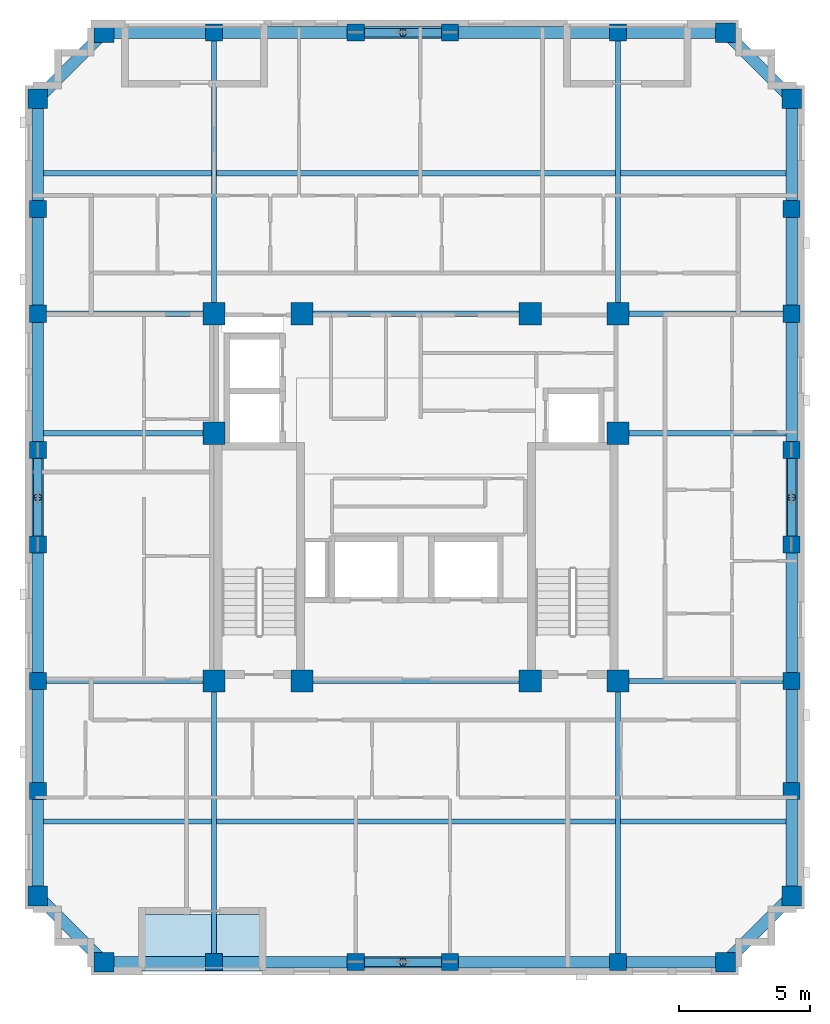
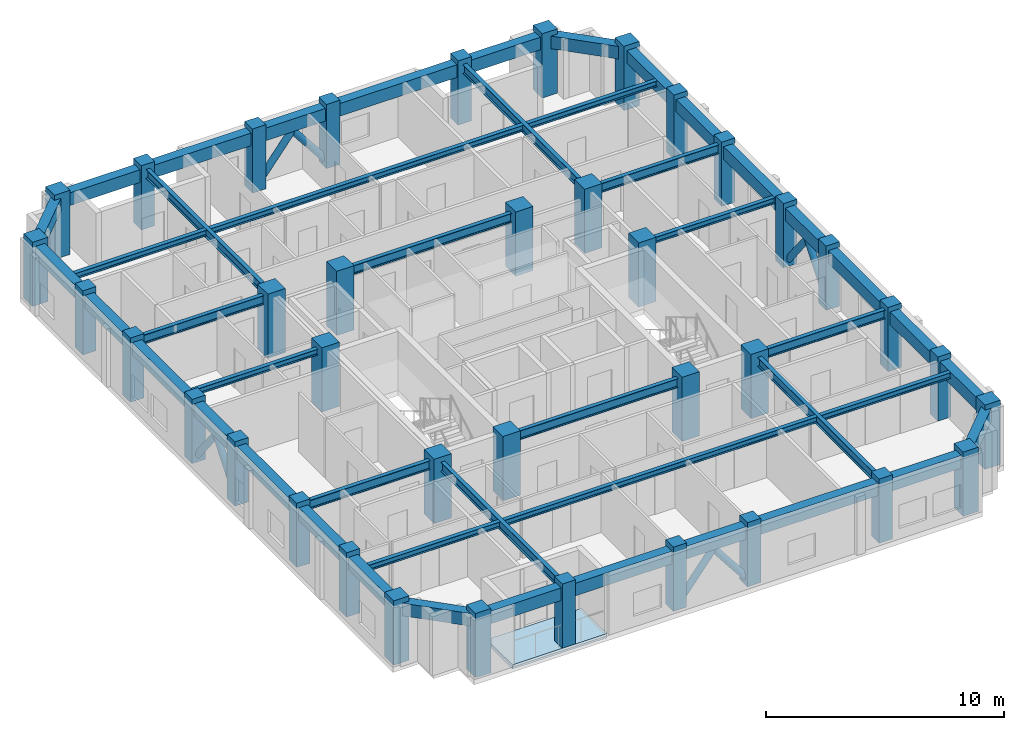
# One storey, part 1 of 10: 46 beams, 38 columns, 8 members, 1 slab.
"""IFC4 building model written with IfcOpenShell, lengths in metres."""

from ifc_helpers import new_model, si_unit, derived_unit, direction, frame, origin, origin_2d, place, context, subcontext, project, spatial, polyline, rectangle, hollow_circle, i_section, outline, extrude, material, layer, layer_set, material_profile, profile_set, type_object, element, save


model = new_model("IFC4")

# Units and contexts
model_context = context("Model", 3, precision=1e-05, world=origin(), true_north=direction((0.0, 1.0)))
body_context = subcontext(model_context, "Body", "Model", "MODEL_VIEW")
ifc_project = project(units=[si_unit("LENGTHUNIT", "METRE"), si_unit("AREAUNIT", "SQUARE_METRE"), si_unit("VOLUMEUNIT", "CUBIC_METRE"), si_unit("PLANEANGLEUNIT", "RADIAN"), si_unit("MASSUNIT", "GRAM", prefix="KILO"), derived_unit("THERMALTRANSMITTANCEUNIT", [(si_unit("MASSUNIT", "GRAM", prefix="KILO"), 1), (si_unit("TIMEUNIT", "SECOND"), -3), (si_unit("THERMODYNAMICTEMPERATUREUNIT", "KELVIN"), -1)])], contexts=[model_context])

# Site, building, storey
site_placement = place(None, origin())
site = spatial("IfcSite", under=ifc_project, at=site_placement, CompositionType="ELEMENT")
building_placement = place(site_placement, origin())
building = spatial("IfcBuilding", under=site, at=building_placement, Name="Korrvale Station Residences", CompositionType="ELEMENT")
storey_placement = place(building_placement, frame((0.0, 0.0, 200.800048828125)))
storey = spatial("IfcBuildingStorey", under=building, at=storey_placement, Name="L58", CompositionType="ELEMENT", Elevation=200.800048828125)

# Columns
ifc_material_1 = material(Name="Concrete C50/60", Category="concrete")
ifc_material_profile_1 = material_profile(ifc_material_1, rectangle(XDim=0.64990234375, YDim=0.64990234375, at=origin_2d()), Name="RC650x650")
ifc_profile_set_1 = profile_set([ifc_material_profile_1], Name="Concrete C50/60")
column_type_1 = type_object("IfcColumnType", Name="COL-C-RC650x650-C5060", PredefinedType="COLUMN", material=ifc_profile_set_1)
for number, where, z_axis, x_axis, name in (
    (1, (17.800048828125, 4.280029296875, 0.0), (0.0, 0.0, 1.0), (1.0, 0.0, 0.0), "L58 Bundled-Tube South Column 02"),
    (2, (23.199951171875, 4.280029296875, 0.0), (0.0, 0.0, 1.0), (1.0, 0.0, 0.0), "L58 Bundled-Tube South Column 03"),
    (3, (26.800048828125, 4.280029296875, 0.0), (0.0, 0.0, 1.0), (1.0, 0.0, 0.0), "L58 Bundled-Tube South Column 04"),
    (4, (33.199951171875, 4.280029296875, 0.0), (0.0, 0.0, 1.0), (1.0, 0.0, 0.0), "L58 Bundled-Tube South Column 05"),
    (5, (17.800048828125, 39.719970703125, 0.0), (0.0, 0.0, 1.0), (1.0, 0.0, 0.0), "L58 Bundled-Tube North Column 08"),
    (6, (23.199951171875, 39.719970703125, 0.0), (0.0, 0.0, 1.0), (1.0, 0.0, 0.0), "L58 Bundled-Tube North Column 09"),
    (7, (26.800048828125, 39.719970703125, 0.0), (0.0, 0.0, 1.0), (1.0, 0.0, 0.0), "L58 Bundled-Tube North Column 10"),
    (8, (33.199951171875, 39.719970703125, 0.0), (0.0, 0.0, 1.0), (1.0, 0.0, 0.0), "L58 Bundled-Tube North Column 11"),
    (9, (11.080078125, 10.800048828125, 0.0), (0.0, 0.0, 1.0), (1.0, 0.0, 0.0), "L58 Bundled-Tube West Column 14"),
    (10, (11.080078125, 15.0, 0.0), (0.0, 0.0, 1.0), (1.0, 0.0, 0.0), "L58 Bundled-Tube West Column 15"),
    (11, (11.080078125, 20.199951171875, 0.0), (0.0, 0.0, 1.0), (1.0, 0.0, 0.0), "L58 Bundled-Tube West Column 16"),
    (12, (11.080078125, 23.800048828125, 0.0), (0.0, 0.0, 1.0), (1.0, 0.0, 0.0), "L58 Bundled-Tube West Column 17"),
    (13, (11.080078125, 29.0, 0.0), (0.0, 0.0, 1.0), (1.0, 0.0, 0.0), "L58 Bundled-Tube West Column 18"),
    (14, (11.080078125, 33.0, 0.0), (0.0, 0.0, 1.0), (1.0, 0.0, 0.0), "L58 Bundled-Tube West Column 19"),
    (15, (39.820068359375, 10.800048828125, 0.0), (0.0, 0.0, 1.0), (1.0, 0.0, 0.0), "L58 Bundled-Tube East Column 22"),
    (16, (39.820068359375, 15.0, 0.0), (0.0, 0.0, 1.0), (1.0, 0.0, 0.0), "L58 Bundled-Tube East Column 23"),
    (17, (39.820068359375, 20.199951171875, 0.0), (0.0, 0.0, 1.0), (1.0, 0.0, 0.0), "L58 Bundled-Tube East Column 24"),
    (18, (39.820068359375, 23.800048828125, 0.0), (0.0, 0.0, 1.0), (1.0, 0.0, 0.0), "L58 Bundled-Tube East Column 25"),
    (19, (39.820068359375, 29.0, 0.0), (0.0, 0.0, 1.0), (1.0, 0.0, 0.0), "L58 Bundled-Tube East Column 26"),
    (20, (39.820068359375, 33.0, 0.0), (0.0, 0.0, 1.0), (1.0, 0.0, 0.0), "L58 Bundled-Tube East Column 27"),
):
    element("IfcColumn", number, at=place(storey_placement, frame(where, z_axis=z_axis, x_axis=x_axis)), inside=storey, type_object=column_type_1, Name=name, PredefinedType="COLUMN", context=body_context, shape_type="SweptSolid", body=[
        extrude(rectangle(XDim=0.64990234375, YDim=0.64990234375, at=origin_2d()), origin(), (0.0, 0.0, 1.0), 3.300048828125),
    ])
ifc_material_profile_2 = material_profile(ifc_material_1, rectangle(XDim=0.75, YDim=0.75, at=origin_2d()), Name="RC750x750")
ifc_profile_set_2 = profile_set([ifc_material_profile_2], Name="Concrete C50/60")
column_type_2 = type_object("IfcColumnType", Name="COL-C-RC750x750-C5060", PredefinedType="COLUMN", material=ifc_profile_set_2)
for number, where, z_axis, x_axis, name in (
    (21, (13.60009765625, 4.280029296875, 0.0), (0.0, 0.0, 1.0), (1.0, 0.0, 0.0), "L58 Bundled-Tube South Column 01"),
    (22, (37.300048828125, 4.280029296875, 0.0), (0.0, 0.0, 1.0), (1.0, 0.0, 0.0), "L58 Bundled-Tube South Column 06"),
    (23, (13.60009765625, 39.719970703125, 0.0), (0.0, 0.0, 1.0), (1.0, 0.0, 0.0), "L58 Bundled-Tube North Column 07"),
    (24, (37.300048828125, 39.719970703125, 0.0), (0.0, 0.0, 1.0), (1.0, 0.0, 0.0), "L58 Bundled-Tube North Column 12"),
    (25, (11.080078125, 6.800048828125, 0.0), (0.0, 0.0, 1.0), (1.0, 0.0, 0.0), "L58 Bundled-Tube West Column 13"),
    (26, (11.080078125, 37.199951171875, 0.0), (0.0, 0.0, 1.0), (1.0, 0.0, 0.0), "L58 Bundled-Tube West Column 20"),
    (27, (39.820068359375, 6.800048828125, 0.0), (0.0, 0.0, 1.0), (1.0, 0.0, 0.0), "L58 Bundled-Tube East Column 21"),
    (28, (39.820068359375, 37.199951171875, 0.0), (0.0, 0.0, 1.0), (1.0, 0.0, 0.0), "L58 Bundled-Tube East Column 28"),
):
    element("IfcColumn", number, at=place(storey_placement, frame(where, z_axis=z_axis, x_axis=x_axis)), inside=storey, type_object=column_type_2, Name=name, PredefinedType="COLUMN", context=body_context, shape_type="SweptSolid", body=[
        extrude(rectangle(XDim=0.75, YDim=0.75, at=origin_2d()), origin(), (0.0, 0.0, 1.0), 3.300048828125),
    ])
ifc_material_profile_3 = material_profile(ifc_material_1, rectangle(XDim=0.85009765625, YDim=0.85009765625, at=origin_2d()), Name="RC850x850")
ifc_profile_set_3 = profile_set([ifc_material_profile_3], Name="Concrete C50/60")
column_type_3 = type_object("IfcColumnType", Name="COL-C-RC850x850-C5060", PredefinedType="COLUMN", material=ifc_profile_set_3)
for number, where, z_axis, x_axis, name in (
    (29, (17.800048828125, 15.0, 0.0), (0.0, 0.0, 1.0), (1.0, 0.0, 0.0), "L58 Core Column 01"),
    (30, (21.14990234375, 15.0, 0.0), (0.0, 0.0, 1.0), (1.0, 0.0, 0.0), "L58 Core Column 02"),
    (31, (29.85009765625, 15.0, 0.0), (0.0, 0.0, 1.0), (1.0, 0.0, 0.0), "L58 Core Column 03"),
    (32, (33.199951171875, 15.0, 0.0), (0.0, 0.0, 1.0), (1.0, 0.0, 0.0), "L58 Core Column 04"),
    (33, (17.800048828125, 29.0, 0.0), (0.0, 0.0, 1.0), (1.0, 0.0, 0.0), "L58 Core Column 05"),
    (34, (21.14990234375, 29.0, 0.0), (0.0, 0.0, 1.0), (1.0, 0.0, 0.0), "L58 Core Column 06"),
    (35, (29.85009765625, 29.0, 0.0), (0.0, 0.0, 1.0), (1.0, 0.0, 0.0), "L58 Core Column 07"),
    (36, (33.199951171875, 29.0, 0.0), (0.0, 0.0, 1.0), (1.0, 0.0, 0.0), "L58 Core Column 08"),
    (37, (17.800048828125, 24.449951171875, 0.0), (0.0, 0.0, 1.0), (1.0, 0.0, 0.0), "L58 Core Column 09"),
    (38, (33.199951171875, 24.449951171875, 0.0), (0.0, 0.0, 1.0), (1.0, 0.0, 0.0), "L58 Core Column 10"),
):
    element("IfcColumn", number, at=place(storey_placement, frame(where, z_axis=z_axis, x_axis=x_axis)), inside=storey, type_object=column_type_3, Name=name, PredefinedType="COLUMN", context=body_context, shape_type="SweptSolid", body=[
        extrude(rectangle(XDim=0.85009765625, YDim=0.85009765625, at=origin_2d()), origin(), (0.0, 0.0, 1.0), 3.300048828125),
    ])

# Beams
ifc_material_2 = material(Name="Steel S355", Category="steel")
ifc_material_profile_4 = material_profile(ifc_material_2, i_section(OverallWidth=0.194091796875, OverallDepth=0.468994140625, WebThickness=0.0126953125, FlangeThickness=0.0205078125, FilletRadius=0.01611328125, at=origin_2d()), Name="W460x106")
ifc_profile_set_4 = profile_set([ifc_material_profile_4], Name="Steel S355")
beam_type_1 = type_object("IfcBeamType", Name="BM-BM-W460x106-S355", PredefinedType="BEAM", material=ifc_profile_set_4)
for number, where, z_axis, x_axis, name in (
    (39, (17.800048828125, 4.280029296875, 2.805419921875), (0.0, 1.0, 0.0), (-1.0, 0.0, 0.0), "L58 Bundled-Tube Web Girder 01"),
    (40, (33.199951171875, 4.280029296875, 2.805419921875), (0.0, 1.0, 0.0), (-1.0, 0.0, 0.0), "L58 Bundled-Tube Web Girder 02"),
    (41, (17.800048828125, 29.0, 2.805419921875), (0.0, 1.0, 0.0), (-1.0, 0.0, 0.0), "L58 Bundled-Tube Web Girder 03"),
    (42, (33.199951171875, 29.0, 2.805419921875), (0.0, 1.0, 0.0), (-1.0, 0.0, 0.0), "L58 Bundled-Tube Web Girder 04"),
):
    element("IfcBeam", number, at=place(storey_placement, frame(where, z_axis=z_axis, x_axis=x_axis)), inside=storey, type_object=beam_type_1, Name=name, PredefinedType="BEAM", context=body_context, shape_type="SweptSolid", body=[
        extrude(i_section(OverallWidth=0.194091796875, OverallDepth=0.468994140625, WebThickness=0.0126953125, FlangeThickness=0.0205078125, FilletRadius=0.01611328125, at=origin_2d()), origin(), (0.0, 0.0, 1.0), 10.719970703125),
    ])
beam_1_placement = place(storey_placement, frame((11.080078125, 15.0, 2.805419921875), z_axis=(1.0, 0.0, 0.0), x_axis=(0.0, 1.0, 0.0)))
element("IfcBeam", 43, at=beam_1_placement, inside=storey, type_object=beam_type_1, Name="L58 Bundled-Tube Web Girder 05", PredefinedType="BEAM", context=body_context, shape_type="SweptSolid", body=[
    extrude(i_section(OverallWidth=0.194091796875, OverallDepth=0.468994140625, WebThickness=0.0126953125, FlangeThickness=0.0205078125, FilletRadius=0.01611328125, at=origin_2d()), origin(), (0.0, 0.0, 1.0), 6.719970703125),
])
beam_2_placement = place(storey_placement, frame((33.199951171875, 15.0, 2.805419921875), z_axis=(1.0, 0.0, 0.0), x_axis=(0.0, 1.0, 0.0)))
element("IfcBeam", 44, at=beam_2_placement, inside=storey, type_object=beam_type_1, Name="L58 Bundled-Tube Web Girder 06", PredefinedType="BEAM", context=body_context, shape_type="SweptSolid", body=[
    extrude(i_section(OverallWidth=0.194091796875, OverallDepth=0.468994140625, WebThickness=0.0126953125, FlangeThickness=0.0205078125, FilletRadius=0.01611328125, at=origin_2d()), origin(), (0.0, 0.0, 1.0), 6.6201171875),
])
beam_3_placement = place(storey_placement, frame((11.080078125, 29.0, 2.805419921875), z_axis=(1.0, 0.0, 0.0), x_axis=(0.0, 1.0, 0.0)))
element("IfcBeam", 45, at=beam_3_placement, inside=storey, type_object=beam_type_1, Name="L58 Bundled-Tube Web Girder 07", PredefinedType="BEAM", context=body_context, shape_type="SweptSolid", body=[
    extrude(i_section(OverallWidth=0.194091796875, OverallDepth=0.468994140625, WebThickness=0.0126953125, FlangeThickness=0.0205078125, FilletRadius=0.01611328125, at=origin_2d()), origin(), (0.0, 0.0, 1.0), 6.719970703125),
])
beam_4_placement = place(storey_placement, frame((33.199951171875, 29.0, 2.805419921875), z_axis=(1.0, 0.0, 0.0), x_axis=(0.0, 1.0, 0.0)))
element("IfcBeam", 46, at=beam_4_placement, inside=storey, type_object=beam_type_1, Name="L58 Bundled-Tube Web Girder 08", PredefinedType="BEAM", context=body_context, shape_type="SweptSolid", body=[
    extrude(i_section(OverallWidth=0.194091796875, OverallDepth=0.468994140625, WebThickness=0.0126953125, FlangeThickness=0.0205078125, FilletRadius=0.01611328125, at=origin_2d()), origin(), (0.0, 0.0, 1.0), 6.6201171875),
])
for number, where, z_axis, x_axis, name in (
    (47, (21.14990234375, 15.0, 2.805419921875), (1.0, 0.0, 0.0), (0.0, 1.0, 0.0), "L58 Bundled-Tube Web Girder 09"),
    (48, (21.14990234375, 29.0, 2.805419921875), (1.0, 0.0, 0.0), (0.0, 1.0, 0.0), "L58 Bundled-Tube Web Girder 10"),
):
    element("IfcBeam", number, at=place(storey_placement, frame(where, z_axis=z_axis, x_axis=x_axis)), inside=storey, type_object=beam_type_1, Name=name, PredefinedType="BEAM", context=body_context, shape_type="SweptSolid", body=[
        extrude(i_section(OverallWidth=0.194091796875, OverallDepth=0.468994140625, WebThickness=0.0126953125, FlangeThickness=0.0205078125, FilletRadius=0.01611328125, at=origin_2d()), origin(), (0.0, 0.0, 1.0), 8.7001953125),
    ])
ifc_material_profile_5 = material_profile(ifc_material_2, i_section(OverallWidth=0.202880859375, OverallDepth=0.302978515625, WebThickness=0.007568359375, FlangeThickness=0.01318359375, FilletRadius=0.014892578125, at=origin_2d()), Name="W310x60")
ifc_profile_set_5 = profile_set([ifc_material_profile_5], Name="Steel S355")
beam_type_2 = type_object("IfcBeamType", Name="BM-JST-W310x60-S355", PredefinedType="JOIST", material=ifc_profile_set_5)
beam_5_placement = place(storey_placement, frame((11.304931640625, 9.639892578125, 2.888427734375), z_axis=(1.0, 0.0, 0.0), x_axis=(0.0, 1.0, 0.0)))
element("IfcBeam", 49, at=beam_5_placement, inside=storey, type_object=beam_type_2, Name="L58 Floor Framing Joist 01", PredefinedType="JOIST", context=body_context, shape_type="SweptSolid", body=[
    extrude(i_section(OverallWidth=0.202880859375, OverallDepth=0.302978515625, WebThickness=0.007568359375, FlangeThickness=0.01318359375, FilletRadius=0.014892578125, at=origin_2d()), origin(), (0.0, 0.0, 1.0), 6.39794921875),
])
beam_6_placement = place(storey_placement, frame((17.89697265625, 9.639892578125, 2.888427734375), z_axis=(1.0, 0.0, 0.0), x_axis=(0.0, 1.0, 0.0)))
element("IfcBeam", 50, at=beam_6_placement, inside=storey, type_object=beam_type_2, Name="L58 Floor Framing Joist 02", PredefinedType="JOIST", context=body_context, shape_type="SweptSolid", body=[
    extrude(i_section(OverallWidth=0.202880859375, OverallDepth=0.302978515625, WebThickness=0.007568359375, FlangeThickness=0.01318359375, FilletRadius=0.014892578125, at=origin_2d()), origin(), (0.0, 0.0, 1.0), 15.2060546875),
])
beam_7_placement = place(storey_placement, frame((33.297119140625, 9.639892578125, 2.888427734375), z_axis=(1.0, 0.0, 0.0), x_axis=(0.0, 1.0, 0.0)))
element("IfcBeam", 51, at=beam_7_placement, inside=storey, type_object=beam_type_2, Name="L58 Floor Framing Joist 03", PredefinedType="JOIST", context=body_context, shape_type="SweptSolid", body=[
    extrude(i_section(OverallWidth=0.202880859375, OverallDepth=0.302978515625, WebThickness=0.007568359375, FlangeThickness=0.01318359375, FilletRadius=0.014892578125, at=origin_2d()), origin(), (0.0, 0.0, 1.0), 6.2978515625),
])
beam_8_placement = place(storey_placement, frame((11.304931640625, 34.360107421875, 2.888427734375), z_axis=(1.0, 0.0, 0.0), x_axis=(0.0, 1.0, 0.0)))
element("IfcBeam", 52, at=beam_8_placement, inside=storey, type_object=beam_type_2, Name="L58 Floor Framing Joist 04", PredefinedType="JOIST", context=body_context, shape_type="SweptSolid", body=[
    extrude(i_section(OverallWidth=0.202880859375, OverallDepth=0.302978515625, WebThickness=0.007568359375, FlangeThickness=0.01318359375, FilletRadius=0.014892578125, at=origin_2d()), origin(), (0.0, 0.0, 1.0), 6.39794921875),
])
beam_9_placement = place(storey_placement, frame((17.89697265625, 34.360107421875, 2.888427734375), z_axis=(1.0, 0.0, 0.0), x_axis=(0.0, 1.0, 0.0)))
element("IfcBeam", 53, at=beam_9_placement, inside=storey, type_object=beam_type_2, Name="L58 Floor Framing Joist 05", PredefinedType="JOIST", context=body_context, shape_type="SweptSolid", body=[
    extrude(i_section(OverallWidth=0.202880859375, OverallDepth=0.302978515625, WebThickness=0.007568359375, FlangeThickness=0.01318359375, FilletRadius=0.014892578125, at=origin_2d()), origin(), (0.0, 0.0, 1.0), 15.2060546875),
])
beam_10_placement = place(storey_placement, frame((33.297119140625, 34.360107421875, 2.888427734375), z_axis=(1.0, 0.0, 0.0), x_axis=(0.0, 1.0, 0.0)))
element("IfcBeam", 54, at=beam_10_placement, inside=storey, type_object=beam_type_2, Name="L58 Floor Framing Joist 06", PredefinedType="JOIST", context=body_context, shape_type="SweptSolid", body=[
    extrude(i_section(OverallWidth=0.202880859375, OverallDepth=0.302978515625, WebThickness=0.007568359375, FlangeThickness=0.01318359375, FilletRadius=0.014892578125, at=origin_2d()), origin(), (0.0, 0.0, 1.0), 6.2978515625),
])
beam_11_placement = place(storey_placement, frame((33.199951171875, 24.449951171875, 2.888427734375), z_axis=(1.0, 0.0, 0.0), x_axis=(0.0, 1.0, 0.0)))
element("IfcBeam", 55, at=beam_11_placement, inside=storey, type_object=beam_type_2, Name="L58 Floor Framing Joist 07", PredefinedType="JOIST", context=body_context, shape_type="SweptSolid", body=[
    extrude(i_section(OverallWidth=0.202880859375, OverallDepth=0.302978515625, WebThickness=0.007568359375, FlangeThickness=0.01318359375, FilletRadius=0.014892578125, at=origin_2d()), origin(), (0.0, 0.0, 1.0), 6.39501953125),
])
beam_12_placement = place(storey_placement, frame((11.304931640625, 24.449951171875, 2.888427734375), z_axis=(1.0, 0.0, 0.0), x_axis=(0.0, 1.0, 0.0)))
element("IfcBeam", 56, at=beam_12_placement, inside=storey, type_object=beam_type_2, Name="L58 Floor Framing Joist 08", PredefinedType="JOIST", context=body_context, shape_type="SweptSolid", body=[
    extrude(i_section(OverallWidth=0.202880859375, OverallDepth=0.302978515625, WebThickness=0.007568359375, FlangeThickness=0.01318359375, FilletRadius=0.014892578125, at=origin_2d()), origin(), (0.0, 0.0, 1.0), 6.4951171875),
])
ifc_material_profile_6 = material_profile(ifc_material_1, rectangle(XDim=0.449951171875, YDim=0.64990234375, at=origin_2d()), Name="RCB450x650")
ifc_profile_set_6 = profile_set([ifc_material_profile_6], Name="Concrete C50/60")
beam_type_3 = type_object("IfcBeamType", Name="BM-SPB-RCB450x650-C5060", PredefinedType="SPANDREL", material=ifc_profile_set_6)
beam_13_placement = place(storey_placement, frame((13.60009765625, 4.280029296875, 2.71484375), z_axis=(1.0, 0.0, 0.0), x_axis=(0.0, 1.0, 0.0)))
element("IfcBeam", 57, at=beam_13_placement, inside=storey, type_object=beam_type_3, Name="L58 South Tube Spandrel 01", PredefinedType="SPANDREL", context=body_context, shape_type="SweptSolid", body=[
    extrude(rectangle(XDim=0.449951171875, YDim=0.64990234375, at=origin_2d()), origin(), (0.0, 0.0, 1.0), 4.199951171875),
])
beam_14_placement = place(storey_placement, frame((17.800048828125, 4.280029296875, 2.71484375), z_axis=(1.0, 0.0, 0.0), x_axis=(0.0, 1.0, 0.0)))
element("IfcBeam", 58, at=beam_14_placement, inside=storey, type_object=beam_type_3, Name="L58 South Tube Spandrel 02", PredefinedType="SPANDREL", context=body_context, shape_type="SweptSolid", body=[
    extrude(rectangle(XDim=0.449951171875, YDim=0.64990234375, at=origin_2d()), origin(), (0.0, 0.0, 1.0), 5.39990234375),
])
beam_15_placement = place(storey_placement, frame((23.199951171875, 4.280029296875, 2.71484375), z_axis=(1.0, 0.0, 0.0), x_axis=(0.0, 1.0, 0.0)))
element("IfcBeam", 59, at=beam_15_placement, inside=storey, type_object=beam_type_3, Name="L58 South Tube Spandrel 03", PredefinedType="SPANDREL", context=body_context, shape_type="SweptSolid", body=[
    extrude(rectangle(XDim=0.449951171875, YDim=0.64990234375, at=origin_2d()), origin(), (0.0, 0.0, 1.0), 3.60009765625),
])
beam_16_placement = place(storey_placement, frame((26.800048828125, 4.280029296875, 2.71484375), z_axis=(1.0, 0.0, 0.0), x_axis=(0.0, 1.0, 0.0)))
element("IfcBeam", 60, at=beam_16_placement, inside=storey, type_object=beam_type_3, Name="L58 South Tube Spandrel 04", PredefinedType="SPANDREL", context=body_context, shape_type="SweptSolid", body=[
    extrude(rectangle(XDim=0.449951171875, YDim=0.64990234375, at=origin_2d()), origin(), (0.0, 0.0, 1.0), 6.39990234375),
])
beam_17_placement = place(storey_placement, frame((33.199951171875, 4.280029296875, 2.71484375), z_axis=(1.0, 0.0, 0.0), x_axis=(0.0, 1.0, 0.0)))
element("IfcBeam", 61, at=beam_17_placement, inside=storey, type_object=beam_type_3, Name="L58 South Tube Spandrel 05", PredefinedType="SPANDREL", context=body_context, shape_type="SweptSolid", body=[
    extrude(rectangle(XDim=0.449951171875, YDim=0.64990234375, at=origin_2d()), origin(), (0.0, 0.0, 1.0), 4.10009765625),
])
beam_18_placement = place(storey_placement, frame((13.60009765625, 39.719970703125, 2.71484375), z_axis=(1.0, 0.0, 0.0), x_axis=(0.0, 1.0, 0.0)))
element("IfcBeam", 62, at=beam_18_placement, inside=storey, type_object=beam_type_3, Name="L58 North Tube Spandrel 06", PredefinedType="SPANDREL", context=body_context, shape_type="SweptSolid", body=[
    extrude(rectangle(XDim=0.449951171875, YDim=0.64990234375, at=origin_2d()), origin(), (0.0, 0.0, 1.0), 4.199951171875),
])
beam_19_placement = place(storey_placement, frame((17.800048828125, 39.719970703125, 2.71484375), z_axis=(1.0, 0.0, 0.0), x_axis=(0.0, 1.0, 0.0)))
element("IfcBeam", 63, at=beam_19_placement, inside=storey, type_object=beam_type_3, Name="L58 North Tube Spandrel 07", PredefinedType="SPANDREL", context=body_context, shape_type="SweptSolid", body=[
    extrude(rectangle(XDim=0.449951171875, YDim=0.64990234375, at=origin_2d()), origin(), (0.0, 0.0, 1.0), 5.39990234375),
])
beam_20_placement = place(storey_placement, frame((23.199951171875, 39.719970703125, 2.71484375), z_axis=(1.0, 0.0, 0.0), x_axis=(0.0, 1.0, 0.0)))
element("IfcBeam", 64, at=beam_20_placement, inside=storey, type_object=beam_type_3, Name="L58 North Tube Spandrel 08", PredefinedType="SPANDREL", context=body_context, shape_type="SweptSolid", body=[
    extrude(rectangle(XDim=0.449951171875, YDim=0.64990234375, at=origin_2d()), origin(), (0.0, 0.0, 1.0), 3.60009765625),
])
beam_21_placement = place(storey_placement, frame((26.800048828125, 39.719970703125, 2.71484375), z_axis=(1.0, 0.0, 0.0), x_axis=(0.0, 1.0, 0.0)))
element("IfcBeam", 65, at=beam_21_placement, inside=storey, type_object=beam_type_3, Name="L58 North Tube Spandrel 09", PredefinedType="SPANDREL", context=body_context, shape_type="SweptSolid", body=[
    extrude(rectangle(XDim=0.449951171875, YDim=0.64990234375, at=origin_2d()), origin(), (0.0, 0.0, 1.0), 6.39990234375),
])
beam_22_placement = place(storey_placement, frame((33.199951171875, 39.719970703125, 2.71484375), z_axis=(1.0, 0.0, 0.0), x_axis=(0.0, 1.0, 0.0)))
element("IfcBeam", 66, at=beam_22_placement, inside=storey, type_object=beam_type_3, Name="L58 North Tube Spandrel 10", PredefinedType="SPANDREL", context=body_context, shape_type="SweptSolid", body=[
    extrude(rectangle(XDim=0.449951171875, YDim=0.64990234375, at=origin_2d()), origin(), (0.0, 0.0, 1.0), 4.10009765625),
])
beam_23_placement = place(storey_placement, frame((11.080078125, 6.800048828125, 2.71484375), z_axis=(0.0, 1.0, 0.0), x_axis=(-1.0, 0.0, 0.0)))
element("IfcBeam", 67, at=beam_23_placement, inside=storey, type_object=beam_type_3, Name="L58 West Tube Spandrel 11", PredefinedType="SPANDREL", context=body_context, shape_type="SweptSolid", body=[
    extrude(rectangle(XDim=0.449951171875, YDim=0.64990234375, at=origin_2d()), origin(), (0.0, 0.0, 1.0), 4.0),
])
beam_24_placement = place(storey_placement, frame((11.080078125, 10.800048828125, 2.71484375), z_axis=(0.0, 1.0, 0.0), x_axis=(-1.0, 0.0, 0.0)))
element("IfcBeam", 68, at=beam_24_placement, inside=storey, type_object=beam_type_3, Name="L58 West Tube Spandrel 12", PredefinedType="SPANDREL", context=body_context, shape_type="SweptSolid", body=[
    extrude(rectangle(XDim=0.449951171875, YDim=0.64990234375, at=origin_2d()), origin(), (0.0, 0.0, 1.0), 4.199951171875),
])
beam_25_placement = place(storey_placement, frame((11.080078125, 15.0, 2.71484375), z_axis=(0.0, 1.0, 0.0), x_axis=(-1.0, 0.0, 0.0)))
element("IfcBeam", 69, at=beam_25_placement, inside=storey, type_object=beam_type_3, Name="L58 West Tube Spandrel 13", PredefinedType="SPANDREL", context=body_context, shape_type="SweptSolid", body=[
    extrude(rectangle(XDim=0.449951171875, YDim=0.64990234375, at=origin_2d()), origin(), (0.0, 0.0, 1.0), 5.199951171875),
])
beam_26_placement = place(storey_placement, frame((11.080078125, 20.199951171875, 2.71484375), z_axis=(0.0, 1.0, 0.0), x_axis=(-1.0, 0.0, 0.0)))
element("IfcBeam", 70, at=beam_26_placement, inside=storey, type_object=beam_type_3, Name="L58 West Tube Spandrel 14", PredefinedType="SPANDREL", context=body_context, shape_type="SweptSolid", body=[
    extrude(rectangle(XDim=0.449951171875, YDim=0.64990234375, at=origin_2d()), origin(), (0.0, 0.0, 1.0), 3.60009765625),
])
beam_27_placement = place(storey_placement, frame((11.080078125, 23.800048828125, 2.71484375), z_axis=(0.0, 1.0, 0.0), x_axis=(-1.0, 0.0, 0.0)))
element("IfcBeam", 71, at=beam_27_placement, inside=storey, type_object=beam_type_3, Name="L58 West Tube Spandrel 15", PredefinedType="SPANDREL", context=body_context, shape_type="SweptSolid", body=[
    extrude(rectangle(XDim=0.449951171875, YDim=0.64990234375, at=origin_2d()), origin(), (0.0, 0.0, 1.0), 5.199951171875),
])
beam_28_placement = place(storey_placement, frame((11.080078125, 29.0, 2.71484375), z_axis=(0.0, 1.0, 0.0), x_axis=(-1.0, 0.0, 0.0)))
element("IfcBeam", 72, at=beam_28_placement, inside=storey, type_object=beam_type_3, Name="L58 West Tube Spandrel 16", PredefinedType="SPANDREL", context=body_context, shape_type="SweptSolid", body=[
    extrude(rectangle(XDim=0.449951171875, YDim=0.64990234375, at=origin_2d()), origin(), (0.0, 0.0, 1.0), 4.0),
])
beam_29_placement = place(storey_placement, frame((11.080078125, 33.0, 2.71484375), z_axis=(0.0, 1.0, 0.0), x_axis=(-1.0, 0.0, 0.0)))
element("IfcBeam", 73, at=beam_29_placement, inside=storey, type_object=beam_type_3, Name="L58 West Tube Spandrel 17", PredefinedType="SPANDREL", context=body_context, shape_type="SweptSolid", body=[
    extrude(rectangle(XDim=0.449951171875, YDim=0.64990234375, at=origin_2d()), origin(), (0.0, 0.0, 1.0), 4.199951171875),
])
beam_30_placement = place(storey_placement, frame((39.820068359375, 6.800048828125, 2.71484375), z_axis=(0.0, 1.0, 0.0), x_axis=(-1.0, 0.0, 0.0)))
element("IfcBeam", 74, at=beam_30_placement, inside=storey, type_object=beam_type_3, Name="L58 East Tube Spandrel 18", PredefinedType="SPANDREL", context=body_context, shape_type="SweptSolid", body=[
    extrude(rectangle(XDim=0.449951171875, YDim=0.64990234375, at=origin_2d()), origin(), (0.0, 0.0, 1.0), 4.0),
])
beam_31_placement = place(storey_placement, frame((39.820068359375, 10.800048828125, 2.71484375), z_axis=(0.0, 1.0, 0.0), x_axis=(-1.0, 0.0, 0.0)))
element("IfcBeam", 75, at=beam_31_placement, inside=storey, type_object=beam_type_3, Name="L58 East Tube Spandrel 19", PredefinedType="SPANDREL", context=body_context, shape_type="SweptSolid", body=[
    extrude(rectangle(XDim=0.449951171875, YDim=0.64990234375, at=origin_2d()), origin(), (0.0, 0.0, 1.0), 4.199951171875),
])
beam_32_placement = place(storey_placement, frame((39.820068359375, 15.0, 2.71484375), z_axis=(0.0, 1.0, 0.0), x_axis=(-1.0, 0.0, 0.0)))
element("IfcBeam", 76, at=beam_32_placement, inside=storey, type_object=beam_type_3, Name="L58 East Tube Spandrel 20", PredefinedType="SPANDREL", context=body_context, shape_type="SweptSolid", body=[
    extrude(rectangle(XDim=0.449951171875, YDim=0.64990234375, at=origin_2d()), origin(), (0.0, 0.0, 1.0), 5.199951171875),
])
beam_33_placement = place(storey_placement, frame((39.820068359375, 20.199951171875, 2.71484375), z_axis=(0.0, 1.0, 0.0), x_axis=(-1.0, 0.0, 0.0)))
element("IfcBeam", 77, at=beam_33_placement, inside=storey, type_object=beam_type_3, Name="L58 East Tube Spandrel 21", PredefinedType="SPANDREL", context=body_context, shape_type="SweptSolid", body=[
    extrude(rectangle(XDim=0.449951171875, YDim=0.64990234375, at=origin_2d()), origin(), (0.0, 0.0, 1.0), 3.60009765625),
])
beam_34_placement = place(storey_placement, frame((39.820068359375, 23.800048828125, 2.71484375), z_axis=(0.0, 1.0, 0.0), x_axis=(-1.0, 0.0, 0.0)))
element("IfcBeam", 78, at=beam_34_placement, inside=storey, type_object=beam_type_3, Name="L58 East Tube Spandrel 22", PredefinedType="SPANDREL", context=body_context, shape_type="SweptSolid", body=[
    extrude(rectangle(XDim=0.449951171875, YDim=0.64990234375, at=origin_2d()), origin(), (0.0, 0.0, 1.0), 5.199951171875),
])
beam_35_placement = place(storey_placement, frame((39.820068359375, 29.0, 2.71484375), z_axis=(0.0, 1.0, 0.0), x_axis=(-1.0, 0.0, 0.0)))
element("IfcBeam", 79, at=beam_35_placement, inside=storey, type_object=beam_type_3, Name="L58 East Tube Spandrel 23", PredefinedType="SPANDREL", context=body_context, shape_type="SweptSolid", body=[
    extrude(rectangle(XDim=0.449951171875, YDim=0.64990234375, at=origin_2d()), origin(), (0.0, 0.0, 1.0), 4.0),
])
beam_36_placement = place(storey_placement, frame((39.820068359375, 33.0, 2.71484375), z_axis=(0.0, 1.0, 0.0), x_axis=(-1.0, 0.0, 0.0)))
element("IfcBeam", 80, at=beam_36_placement, inside=storey, type_object=beam_type_3, Name="L58 East Tube Spandrel 24", PredefinedType="SPANDREL", context=body_context, shape_type="SweptSolid", body=[
    extrude(rectangle(XDim=0.449951171875, YDim=0.64990234375, at=origin_2d()), origin(), (0.0, 0.0, 1.0), 4.199951171875),
])
for number, where, z_axis, x_axis, name in (
    (81, (13.60009765625, 4.280029296875, 2.71484375), (-0.707106781187, 0.707106781187, 0.0), (-0.707106781187, -0.707106781187, 0.0), "L58 Serrated Corner Spandrel 25"),
    (82, (37.300048828125, 4.280029296875, 2.71484375), (0.707106781187, 0.707106781187, 0.0), (-0.707106781187, 0.707106781187, 0.0), "L58 Serrated Corner Spandrel 26"),
    (83, (37.300048828125, 39.719970703125, 2.71484375), (0.707106781187, -0.707106781187, 0.0), (0.707106781187, 0.707106781187, 0.0), "L58 Serrated Corner Spandrel 27"),
    (84, (13.60009765625, 39.719970703125, 2.71484375), (-0.707106781187, -0.707106781187, 0.0), (0.707106781187, -0.707106781187, 0.0), "L58 Serrated Corner Spandrel 28"),
):
    element("IfcBeam", number, at=place(storey_placement, frame(where, z_axis=z_axis, x_axis=x_axis)), inside=storey, type_object=beam_type_3, Name=name, PredefinedType="SPANDREL", context=body_context, shape_type="SweptSolid", body=[
        extrude(rectangle(XDim=0.449951171875, YDim=0.64990234375, at=origin_2d()), origin(), (0.0, 0.0, 1.0), 3.56396484375),
    ])

# Members
ifc_material_profile_7 = material_profile(ifc_material_2, hollow_circle(Radius=0.161865234375, WallThickness=0.015869140625, at=origin_2d()), Name="HSS324x16")
ifc_profile_set_7 = profile_set([ifc_material_profile_7], Name="Steel S355")
member_type = type_object("IfcMemberType", Name="MBR-BR-HSS324x16", PredefinedType="BRACE", material=ifc_profile_set_7)
for number, where, z_axis, x_axis, name in (
    (85, (23.199951171875, 4.280029296875, 0.02001953125), (0.617977009695, 0.0, 0.786196168579), (0.0, 1.0, 0.0), "L58 S Perimeter Tube Wind Brace 1"),
    (86, (26.800048828125, 4.280029296875, 0.02001953125), (-0.617977009695, 0.0, 0.786196168579), (0.0, -1.0, 0.0), "L58 S Perimeter Tube Wind Brace 2"),
    (87, (23.199951171875, 39.719970703125, 0.02001953125), (0.617977009695, 0.0, 0.786196168579), (0.0, 1.0, 0.0), "L58 N Perimeter Tube Wind Brace 1"),
    (88, (26.800048828125, 39.719970703125, 0.02001953125), (-0.617977009695, 0.0, 0.786196168579), (0.0, -1.0, 0.0), "L58 N Perimeter Tube Wind Brace 2"),
    (89, (11.080078125, 20.199951171875, 0.02001953125), (0.0, 0.617977009695, 0.786196168579), (-1.0, 0.0, 0.0), "L58 W Perimeter Tube Wind Brace 1"),
    (90, (11.080078125, 23.800048828125, 0.02001953125), (0.0, -0.617977009695, 0.786196168579), (1.0, 0.0, 0.0), "L58 W Perimeter Tube Wind Brace 2"),
    (91, (39.820068359375, 20.199951171875, 0.02001953125), (0.0, 0.617977009695, 0.786196168579), (-1.0, 0.0, 0.0), "L58 E Perimeter Tube Wind Brace 1"),
    (92, (39.820068359375, 23.800048828125, 0.02001953125), (0.0, -0.617977009695, 0.786196168579), (1.0, 0.0, 0.0), "L58 E Perimeter Tube Wind Brace 2"),
):
    element("IfcMember", number, at=place(storey_placement, frame(where, z_axis=z_axis, x_axis=x_axis)), inside=storey, type_object=member_type, Name=name, PredefinedType="BRACE", context=body_context, shape_type="SweptSolid", body=[
        extrude(hollow_circle(Radius=0.161865234375, WallThickness=0.015869140625, at=origin_2d()), origin(), (0.0, 0.0, 1.0), 2.912841796875),
    ])

# Slab
ifc_layer = layer(ifc_material_1, 0.219970703125, Name="Concrete C50/60")
ifc_layer_set = layer_set([ifc_layer], Name="Concrete C50/60")
slab_type = type_object("IfcSlabType", Name="SLB-BAL-220", PredefinedType="FLOOR", material=ifc_layer_set)
slab_placement = place(storey_placement, frame((0.0, 0.0, -0.219970703125)))
element("IfcSlab", 93, at=slab_placement, inside=storey, type_object=slab_type, Name="L58 Recessed Loggia Balcony Slab BAL-L58-S1", PredefinedType="FLOOR", context=body_context, shape_type="SweptSolid", body=[
    extrude(outline(polyline([(15.050048828125, 3.949951171875), (19.64990234375, 3.949951171875), (19.64990234375, 6.10009765625), (15.050048828125, 6.10009765625), (15.050048828125, 3.949951171875)])), origin(), (0.0, 0.0, 1.0), 0.219970703125),
])

save(model, "model.ifc")
